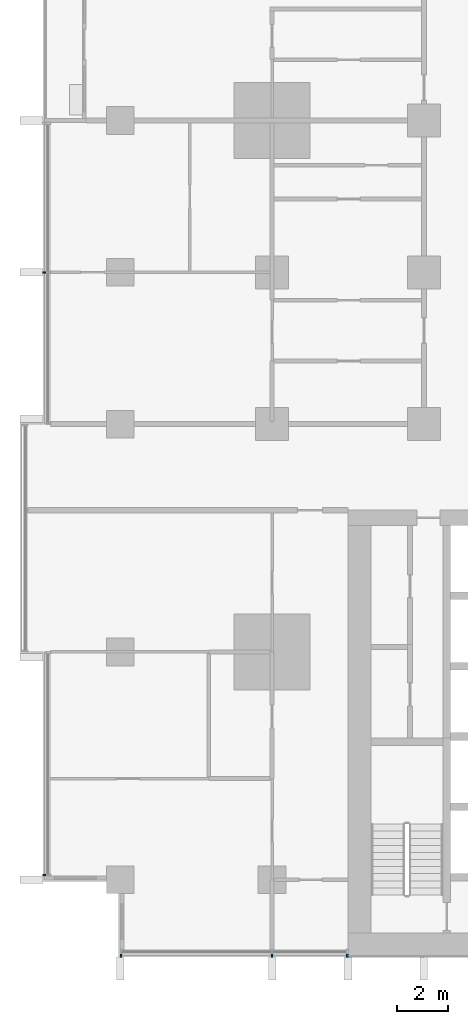
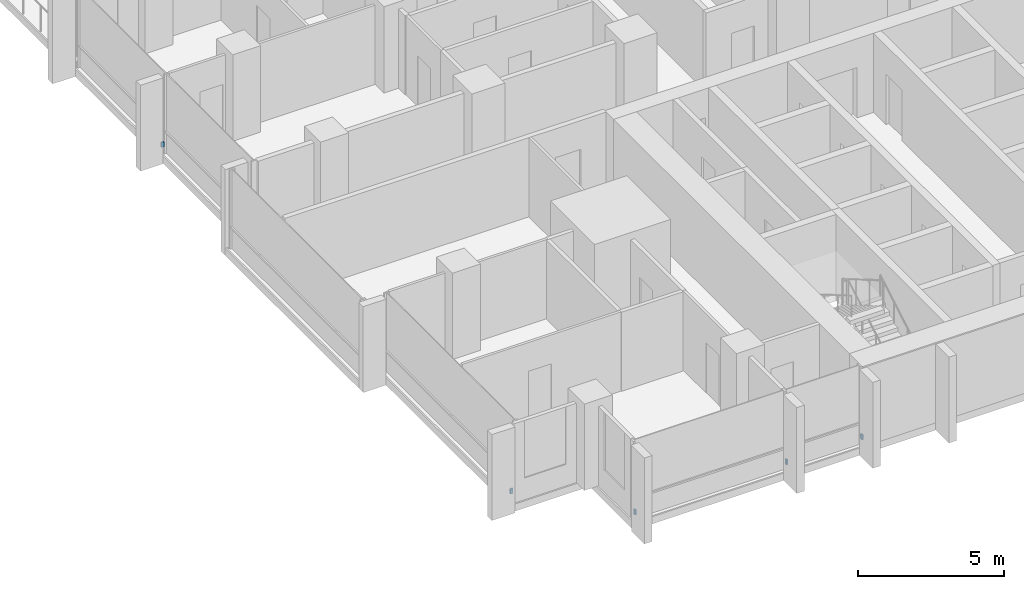
# One storey, part 14 of 18: 5 discrete accessories.
"""IFC4 building model written with IfcOpenShell, lengths in metres."""

from ifc_helpers import new_model, si_unit, direction, frame, origin, origin_2d, place, context, subcontext, project, spatial, rectangle, extrude, material, type_object, element, save


model = new_model("IFC4")

# Units and contexts
model_context = context("Model", 3, precision=1e-05, world=origin(), true_north=direction((0.0, 1.0)))
body_context = subcontext(model_context, "Body", "Model", "MODEL_VIEW")
ifc_project = project(units=[si_unit("LENGTHUNIT", "METRE"), si_unit("AREAUNIT", "SQUARE_METRE"), si_unit("VOLUMEUNIT", "CUBIC_METRE"), si_unit("PLANEANGLEUNIT", "RADIAN"), si_unit("MASSUNIT", "GRAM", prefix="KILO")], contexts=[model_context])

# Site, building, storey
site_placement = place(None, origin())
site = spatial("IfcSite", under=ifc_project, at=site_placement, CompositionType="ELEMENT")
building_placement = place(site_placement, origin())
building = spatial("IfcBuilding", under=site, at=building_placement, Name="Finial Court Residences", CompositionType="ELEMENT")
storey_placement = place(building_placement, frame((0.0, 0.0, 39.699951171875)))
storey = spatial("IfcBuildingStorey", under=building, at=storey_placement, Name="L08", CompositionType="ELEMENT", Elevation=39.699951171875)

# Discrete accessories
ifc_material = material(Name="Stainless steel 316", Category="steel")
discrete_accessory_type = type_object("IfcDiscreteAccessoryType", Name="Fin bracket, stainless steel 65 x 110 x 200", PredefinedType="BRACKET", material=ifc_material)
for number, where, z_axis, x_axis, name in (
    (1, (-22.467529296875, -25.5048828125, 0.30029296875), (0.0, 0.0, 1.0), (1.0, 0.0, 0.0), "E-L08-FIN-S17-BRK"),
    (2, (-16.5, -25.5048828125, 0.30029296875), (0.0, 0.0, 1.0), (1.0, 0.0, 0.0), "E-L08-FIN-S18-BRK"),
    (3, (-13.532470703125, -25.5048828125, 0.30029296875), (0.0, 0.0, 1.0), (1.0, 0.0, 0.0), "E-L08-FIN-S19-BRK"),
):
    element("IfcDiscreteAccessory", number, at=place(storey_placement, frame(where, z_axis=z_axis, x_axis=x_axis)), inside=storey, type_object=discrete_accessory_type, Name=name, PredefinedType="BRACKET", context=body_context, shape_type="SweptSolid", body=[
        extrude(rectangle(XDim=0.06494140625, YDim=0.110107421875, at=origin_2d()), origin(), (0.0, 0.0, 1.0), 0.199951171875),
    ])
for number, where, z_axis, x_axis, name in (
    (4, (-25.5048828125, -22.3173828125, 0.30029296875), (0.0, 0.0, 1.0), (1.0, 0.0, 0.0), "E-L08-FIN-W27-BRK"),
    (5, (-25.5048828125, 1.5, 0.30029296875), (0.0, 0.0, 1.0), (1.0, 0.0, 0.0), "E-L08-FIN-W30-BRK"),
):
    element("IfcDiscreteAccessory", number, at=place(storey_placement, frame(where, z_axis=z_axis, x_axis=x_axis)), inside=storey, type_object=discrete_accessory_type, Name=name, PredefinedType="BRACKET", context=body_context, shape_type="SweptSolid", body=[
        extrude(rectangle(XDim=0.110107421875, YDim=0.06494140625, at=origin_2d()), origin(), (0.0, 0.0, 1.0), 0.199951171875),
    ])

save(model, "model.ifc")
